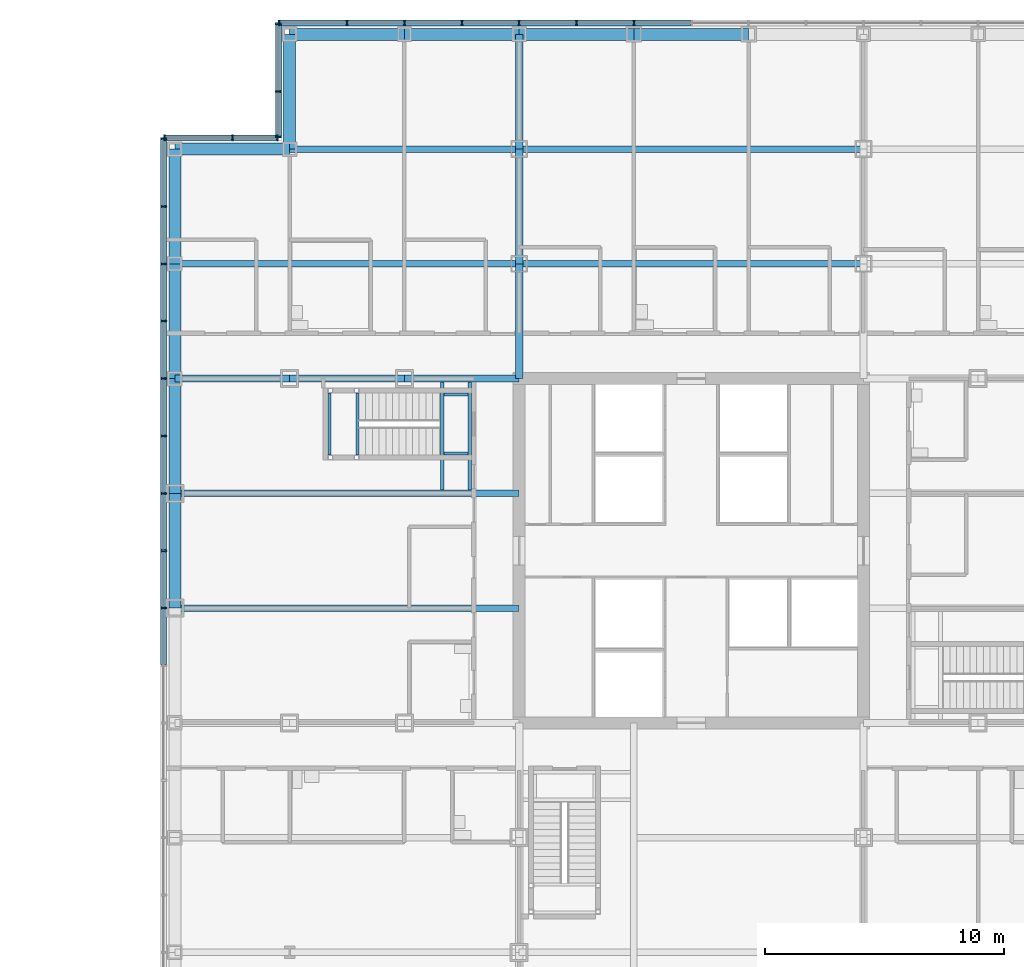
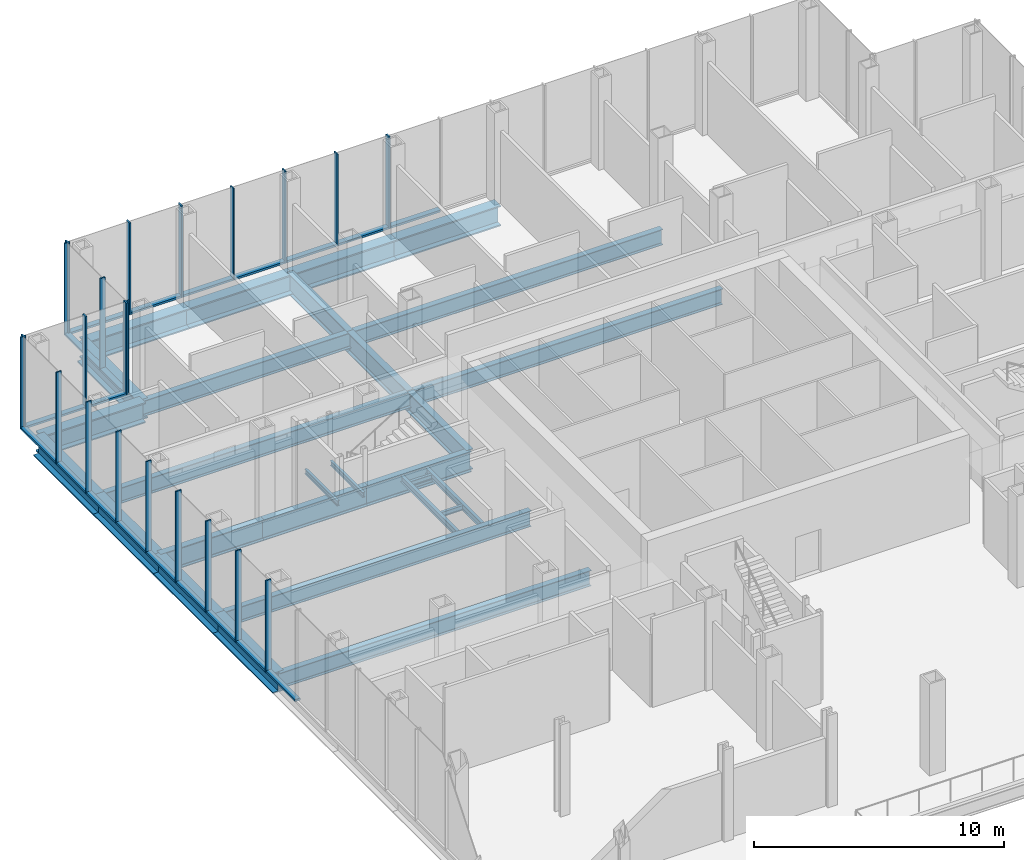
# One storey, part 15 of 25: 42 members, 28 beams, 4 elements without a shape of their own.
"""IFC4 building model written with IfcOpenShell, lengths in metres."""

from ifc_helpers import new_model, si_unit, direction, frame, origin, origin_2d, place, context, subcontext, project, spatial, rectangle, i_section, extrude, material, material_profile, profile_set, type_object, element, aggregate, save


model = new_model("IFC4")

# Units and contexts
model_context = context("Model", 3, precision=1e-05, world=origin(), true_north=direction((0.0, 1.0)))
body_context = subcontext(model_context, "Body", "Model", "MODEL_VIEW")
ifc_project = project(units=[si_unit("LENGTHUNIT", "METRE"), si_unit("AREAUNIT", "SQUARE_METRE"), si_unit("VOLUMEUNIT", "CUBIC_METRE"), si_unit("PLANEANGLEUNIT", "RADIAN"), si_unit("MASSUNIT", "GRAM", prefix="KILO")], contexts=[model_context])

# Site, building, storey
site_placement = place(None, origin())
site = spatial("IfcSite", under=ifc_project, at=site_placement, CompositionType="ELEMENT")
building_placement = place(site_placement, origin())
building = spatial("IfcBuilding", under=site, at=building_placement, Name="Kvirike Care Tower", CompositionType="ELEMENT")
storey_placement = place(building_placement, frame((0.0, 0.0, 13.5)))
storey = spatial("IfcBuildingStorey", under=building, at=storey_placement, Name="L03", CompositionType="ELEMENT", Elevation=13.5)

# Curtain wall, members
ifc_material_1 = material(Name="Anodised aluminium stick system", Category="aluminium")
curtain_wall_type = type_object("IfcCurtainWallType", Name="CW-P PODIUM STICK CURTAIN WALL", PredefinedType="NOTDEFINED", material=ifc_material_1)
curtain_wall_1_placement = place(storey_placement, origin())
curtain_wall_1 = element("IfcCurtainWall", 1, at=curtain_wall_1_placement, inside=storey, type_object=curtain_wall_type, Name="Curtain wall L03 face 11", PredefinedType="NOTDEFINED")
ifc_material_2 = material(Name="Bronze anodised aluminium mullion", Category="aluminium")
ifc_material_profile_1 = material_profile(ifc_material_2, rectangle(XDim=0.06494140625, YDim=0.25, at=origin_2d()), Name="CW-P MULLION 65x250")
ifc_profile_set_1 = profile_set([ifc_material_profile_1], Name="Bronze anodised aluminium mullion")
member_type_1 = type_object("IfcMemberType", Name="CW-P MULLION 65x250", PredefinedType="MULLION", material=ifc_profile_set_1)
member_1_placement = place(storey_placement, frame((19.199951171875, 58.074951171875, 0.0), z_axis=(0.0, 0.0, 1.0), x_axis=(-1.0, 0.0, 0.0)))
member_1 = element("IfcMember", 2, at=member_1_placement, type_object=member_type_1, Name="CW-P mullion L03 face 11.9", PredefinedType="MULLION", context=body_context, shape_type="SweptSolid", body=[
    extrude(rectangle(XDim=0.06494140625, YDim=0.25, at=origin_2d()), origin(), (0.0, 0.0, 1.0), 4.5),
])
member_2_placement = place(storey_placement, frame((16.800048828125, 58.074951171875, 0.0), z_axis=(0.0, 0.0, 1.0), x_axis=(-1.0, 0.0, 0.0)))
member_2 = element("IfcMember", 3, at=member_2_placement, type_object=member_type_1, Name="CW-P mullion L03 face 11.10", PredefinedType="MULLION", context=body_context, shape_type="SweptSolid", body=[
    extrude(rectangle(XDim=0.06494140625, YDim=0.25, at=origin_2d()), origin(), (0.0, 0.0, 1.0), 4.5),
])
member_3_placement = place(storey_placement, frame((14.39990234375, 58.074951171875, 0.0), z_axis=(0.0, 0.0, 1.0), x_axis=(-1.0, 0.0, 0.0)))
member_3 = element("IfcMember", 4, at=member_3_placement, type_object=member_type_1, Name="CW-P mullion L03 face 11.11", PredefinedType="MULLION", context=body_context, shape_type="SweptSolid", body=[
    extrude(rectangle(XDim=0.06494140625, YDim=0.25, at=origin_2d()), origin(), (0.0, 0.0, 1.0), 4.5),
])
member_4_placement = place(storey_placement, frame((12.0, 58.074951171875, 0.0), z_axis=(0.0, 0.0, 1.0), x_axis=(-1.0, 0.0, 0.0)))
member_4 = element("IfcMember", 5, at=member_4_placement, type_object=member_type_1, Name="CW-P mullion L03 face 11.12", PredefinedType="MULLION", context=body_context, shape_type="SweptSolid", body=[
    extrude(rectangle(XDim=0.06494140625, YDim=0.25, at=origin_2d()), origin(), (0.0, 0.0, 1.0), 4.5),
])
member_5_placement = place(storey_placement, frame((9.60009765625, 58.074951171875, 0.0), z_axis=(0.0, 0.0, 1.0), x_axis=(-1.0, 0.0, 0.0)))
member_5 = element("IfcMember", 6, at=member_5_placement, type_object=member_type_1, Name="CW-P mullion L03 face 11.13", PredefinedType="MULLION", context=body_context, shape_type="SweptSolid", body=[
    extrude(rectangle(XDim=0.06494140625, YDim=0.25, at=origin_2d()), origin(), (0.0, 0.0, 1.0), 4.5),
])
member_6_placement = place(storey_placement, frame((7.199951171875, 58.074951171875, 0.0), z_axis=(0.0, 0.0, 1.0), x_axis=(-1.0, 0.0, 0.0)))
member_6 = element("IfcMember", 7, at=member_6_placement, type_object=member_type_1, Name="CW-P mullion L03 face 11.14", PredefinedType="MULLION", context=body_context, shape_type="SweptSolid", body=[
    extrude(rectangle(XDim=0.06494140625, YDim=0.25, at=origin_2d()), origin(), (0.0, 0.0, 1.0), 4.5),
])
member_7_placement = place(storey_placement, frame((4.357421875, 58.074951171875, 0.0), z_axis=(0.0, 0.0, 1.0), x_axis=(-1.0, 0.0, 0.0)))
member_7 = element("IfcMember", 8, at=member_7_placement, type_object=member_type_1, Name="CW-P mullion L03 face 11.15", PredefinedType="MULLION", context=body_context, shape_type="SweptSolid", body=[
    extrude(rectangle(XDim=0.06494140625, YDim=0.25, at=origin_2d()), origin(), (0.0, 0.0, 1.0), 4.5),
])

curtain_wall_2_placement = place(storey_placement, origin())
curtain_wall_2 = element("IfcCurtainWall", 9, at=curtain_wall_2_placement, inside=storey, type_object=curtain_wall_type, Name="Curtain wall L03 face 12", PredefinedType="NOTDEFINED")
member_8_placement = place(storey_placement, frame((4.324951171875, 58.04248046875, 0.0), z_axis=(0.0, 0.0, 1.0), x_axis=(0.0, -1.0, 0.0)))
member_8 = element("IfcMember", 10, at=member_8_placement, type_object=member_type_1, Name="CW-P mullion L03 face 12.1", PredefinedType="MULLION", context=body_context, shape_type="SweptSolid", body=[
    extrude(rectangle(XDim=0.06494140625, YDim=0.25, at=origin_2d()), origin(), (0.0, 0.0, 1.0), 4.5),
])
member_9_placement = place(storey_placement, frame((4.324951171875, 55.199951171875, 0.0), z_axis=(0.0, 0.0, 1.0), x_axis=(0.0, -1.0, 0.0)))
member_9 = element("IfcMember", 11, at=member_9_placement, type_object=member_type_1, Name="CW-P mullion L03 face 12.2", PredefinedType="MULLION", context=body_context, shape_type="SweptSolid", body=[
    extrude(rectangle(XDim=0.06494140625, YDim=0.25, at=origin_2d()), origin(), (0.0, 0.0, 1.0), 4.5),
])
member_10_placement = place(storey_placement, frame((4.324951171875, 53.3076171875, 0.0), z_axis=(0.0, 0.0, 1.0), x_axis=(0.0, -1.0, 0.0)))
member_10 = element("IfcMember", 12, at=member_10_placement, type_object=member_type_1, Name="CW-P mullion L03 face 12.3", PredefinedType="MULLION", context=body_context, shape_type="SweptSolid", body=[
    extrude(rectangle(XDim=0.06494140625, YDim=0.25, at=origin_2d()), origin(), (0.0, 0.0, 1.0), 4.5),
])

curtain_wall_3_placement = place(storey_placement, origin())
curtain_wall_3 = element("IfcCurtainWall", 13, at=curtain_wall_3_placement, inside=storey, type_object=curtain_wall_type, Name="Curtain wall L03 face 13", PredefinedType="NOTDEFINED")
member_11_placement = place(storey_placement, frame((4.29248046875, 53.27490234375, 0.0), z_axis=(0.0, 0.0, 1.0), x_axis=(-1.0, 0.0, 0.0)))
member_11 = element("IfcMember", 14, at=member_11_placement, type_object=member_type_1, Name="CW-P mullion L03 face 13.1", PredefinedType="MULLION", context=body_context, shape_type="SweptSolid", body=[
    extrude(rectangle(XDim=0.06494140625, YDim=0.25, at=origin_2d()), origin(), (0.0, 0.0, 1.0), 4.5),
])
member_12_placement = place(storey_placement, frame((2.39990234375, 53.27490234375, 0.0), z_axis=(0.0, 0.0, 1.0), x_axis=(-1.0, 0.0, 0.0)))
member_12 = element("IfcMember", 15, at=member_12_placement, type_object=member_type_1, Name="CW-P mullion L03 face 13.2", PredefinedType="MULLION", context=body_context, shape_type="SweptSolid", body=[
    extrude(rectangle(XDim=0.06494140625, YDim=0.25, at=origin_2d()), origin(), (0.0, 0.0, 1.0), 4.5),
])
member_13_placement = place(storey_placement, frame((-0.4423828125, 53.27490234375, 0.0), z_axis=(0.0, 0.0, 1.0), x_axis=(-1.0, 0.0, 0.0)))
member_13 = element("IfcMember", 16, at=member_13_placement, type_object=member_type_1, Name="CW-P mullion L03 face 13.3", PredefinedType="MULLION", context=body_context, shape_type="SweptSolid", body=[
    extrude(rectangle(XDim=0.06494140625, YDim=0.25, at=origin_2d()), origin(), (0.0, 0.0, 1.0), 4.5),
])

curtain_wall_4_placement = place(storey_placement, origin())
curtain_wall_4 = element("IfcCurtainWall", 17, at=curtain_wall_4_placement, inside=storey, type_object=curtain_wall_type, Name="Curtain wall L03 face 14", PredefinedType="NOTDEFINED")
member_14_placement = place(storey_placement, frame((-0.47509765625, 53.242431640625, 0.0), z_axis=(0.0, 0.0, 1.0), x_axis=(0.0, -1.0, 0.0)))
member_14 = element("IfcMember", 18, at=member_14_placement, type_object=member_type_1, Name="CW-P mullion L03 face 14.1", PredefinedType="MULLION", context=body_context, shape_type="SweptSolid", body=[
    extrude(rectangle(XDim=0.06494140625, YDim=0.25, at=origin_2d()), origin(), (0.0, 0.0, 1.0), 4.5),
])
member_15_placement = place(storey_placement, frame((-0.47509765625, 50.39990234375, 0.0), z_axis=(0.0, 0.0, 1.0), x_axis=(0.0, -1.0, 0.0)))
member_15 = element("IfcMember", 19, at=member_15_placement, type_object=member_type_1, Name="CW-P mullion L03 face 14.2", PredefinedType="MULLION", context=body_context, shape_type="SweptSolid", body=[
    extrude(rectangle(XDim=0.06494140625, YDim=0.25, at=origin_2d()), origin(), (0.0, 0.0, 1.0), 4.5),
])
member_16_placement = place(storey_placement, frame((-0.47509765625, 48.0, 0.0), z_axis=(0.0, 0.0, 1.0), x_axis=(0.0, -1.0, 0.0)))
member_16 = element("IfcMember", 20, at=member_16_placement, type_object=member_type_1, Name="CW-P mullion L03 face 14.3", PredefinedType="MULLION", context=body_context, shape_type="SweptSolid", body=[
    extrude(rectangle(XDim=0.06494140625, YDim=0.25, at=origin_2d()), origin(), (0.0, 0.0, 1.0), 4.5),
])
member_17_placement = place(storey_placement, frame((-0.47509765625, 45.60009765625, 0.0), z_axis=(0.0, 0.0, 1.0), x_axis=(0.0, -1.0, 0.0)))
member_17 = element("IfcMember", 21, at=member_17_placement, type_object=member_type_1, Name="CW-P mullion L03 face 14.4", PredefinedType="MULLION", context=body_context, shape_type="SweptSolid", body=[
    extrude(rectangle(XDim=0.06494140625, YDim=0.25, at=origin_2d()), origin(), (0.0, 0.0, 1.0), 4.5),
])
member_18_placement = place(storey_placement, frame((-0.47509765625, 43.199951171875, 0.0), z_axis=(0.0, 0.0, 1.0), x_axis=(0.0, -1.0, 0.0)))
member_18 = element("IfcMember", 22, at=member_18_placement, type_object=member_type_1, Name="CW-P mullion L03 face 14.5", PredefinedType="MULLION", context=body_context, shape_type="SweptSolid", body=[
    extrude(rectangle(XDim=0.06494140625, YDim=0.25, at=origin_2d()), origin(), (0.0, 0.0, 1.0), 4.5),
])
member_19_placement = place(storey_placement, frame((-0.47509765625, 40.800048828125, 0.0), z_axis=(0.0, 0.0, 1.0), x_axis=(0.0, -1.0, 0.0)))
member_19 = element("IfcMember", 23, at=member_19_placement, type_object=member_type_1, Name="CW-P mullion L03 face 14.6", PredefinedType="MULLION", context=body_context, shape_type="SweptSolid", body=[
    extrude(rectangle(XDim=0.06494140625, YDim=0.25, at=origin_2d()), origin(), (0.0, 0.0, 1.0), 4.5),
])
member_20_placement = place(storey_placement, frame((-0.47509765625, 38.39990234375, 0.0), z_axis=(0.0, 0.0, 1.0), x_axis=(0.0, -1.0, 0.0)))
member_20 = element("IfcMember", 24, at=member_20_placement, type_object=member_type_1, Name="CW-P mullion L03 face 14.7", PredefinedType="MULLION", context=body_context, shape_type="SweptSolid", body=[
    extrude(rectangle(XDim=0.06494140625, YDim=0.25, at=origin_2d()), origin(), (0.0, 0.0, 1.0), 4.5),
])
member_21_placement = place(storey_placement, frame((-0.47509765625, 36.0, 0.0), z_axis=(0.0, 0.0, 1.0), x_axis=(0.0, -1.0, 0.0)))
member_21 = element("IfcMember", 25, at=member_21_placement, type_object=member_type_1, Name="CW-P mullion L03 face 14.8", PredefinedType="MULLION", context=body_context, shape_type="SweptSolid", body=[
    extrude(rectangle(XDim=0.06494140625, YDim=0.25, at=origin_2d()), origin(), (0.0, 0.0, 1.0), 4.5),
])
member_22_placement = place(storey_placement, frame((-0.47509765625, 33.60009765625, 0.0), z_axis=(0.0, 0.0, 1.0), x_axis=(0.0, -1.0, 0.0)))
member_22 = element("IfcMember", 26, at=member_22_placement, type_object=member_type_1, Name="CW-P mullion L03 face 14.9", PredefinedType="MULLION", context=body_context, shape_type="SweptSolid", body=[
    extrude(rectangle(XDim=0.06494140625, YDim=0.25, at=origin_2d()), origin(), (0.0, 0.0, 1.0), 4.5),
])

# Member
ifc_material_3 = material(Name="Bronze anodised aluminium transom", Category="aluminium")
ifc_material_profile_2 = material_profile(ifc_material_3, rectangle(XDim=0.25, YDim=0.10009765625, at=origin_2d()), Name="CW-P TRANSOM 250x100")
ifc_profile_set_2 = profile_set([ifc_material_profile_2], Name="Bronze anodised aluminium transom")
member_type_2 = type_object("IfcMemberType", Name="CW-P TRANSOM 250x100", PredefinedType="USERDEFINED", material=ifc_profile_set_2)
member_23_placement = place(storey_placement, frame((21.5673828125, 58.074951171875, 0.050048828125), z_axis=(-1.0, 0.0, 0.0), x_axis=(0.0, -1.0, 0.0)))
member_23 = element("IfcMember", 27, at=member_23_placement, type_object=member_type_2, Name="CW-P sill transom L03 face 11.8", ObjectType="TRANSOM", PredefinedType="USERDEFINED", context=body_context, shape_type="SweptSolid", body=[
    extrude(rectangle(XDim=0.25, YDim=0.10009765625, at=origin_2d()), origin(), (0.0, 0.0, 1.0), 2.3349609375),
])

member_24_placement = place(storey_placement, frame((19.16748046875, 58.074951171875, 0.050048828125), z_axis=(-1.0, 0.0, 0.0), x_axis=(0.0, -1.0, 0.0)))
member_24 = element("IfcMember", 28, at=member_24_placement, type_object=member_type_2, Name="CW-P sill transom L03 face 11.9", ObjectType="TRANSOM", PredefinedType="USERDEFINED", context=body_context, shape_type="SweptSolid", body=[
    extrude(rectangle(XDim=0.25, YDim=0.10009765625, at=origin_2d()), origin(), (0.0, 0.0, 1.0), 2.3349609375),
])

member_25_placement = place(storey_placement, frame((16.767578125, 58.074951171875, 0.050048828125), z_axis=(-1.0, 0.0, 0.0), x_axis=(0.0, -1.0, 0.0)))
member_25 = element("IfcMember", 29, at=member_25_placement, type_object=member_type_2, Name="CW-P sill transom L03 face 11.10", ObjectType="TRANSOM", PredefinedType="USERDEFINED", context=body_context, shape_type="SweptSolid", body=[
    extrude(rectangle(XDim=0.25, YDim=0.10009765625, at=origin_2d()), origin(), (0.0, 0.0, 1.0), 2.3349609375),
])

member_26_placement = place(storey_placement, frame((14.367431640625, 58.074951171875, 0.050048828125), z_axis=(-1.0, 0.0, 0.0), x_axis=(0.0, -1.0, 0.0)))
member_26 = element("IfcMember", 30, at=member_26_placement, type_object=member_type_2, Name="CW-P sill transom L03 face 11.11", ObjectType="TRANSOM", PredefinedType="USERDEFINED", context=body_context, shape_type="SweptSolid", body=[
    extrude(rectangle(XDim=0.25, YDim=0.10009765625, at=origin_2d()), origin(), (0.0, 0.0, 1.0), 2.3349609375),
])

member_27_placement = place(storey_placement, frame((11.967529296875, 58.074951171875, 0.050048828125), z_axis=(-1.0, 0.0, 0.0), x_axis=(0.0, -1.0, 0.0)))
member_27 = element("IfcMember", 31, at=member_27_placement, type_object=member_type_2, Name="CW-P sill transom L03 face 11.12", ObjectType="TRANSOM", PredefinedType="USERDEFINED", context=body_context, shape_type="SweptSolid", body=[
    extrude(rectangle(XDim=0.25, YDim=0.10009765625, at=origin_2d()), origin(), (0.0, 0.0, 1.0), 2.3349609375),
])

member_28_placement = place(storey_placement, frame((9.5673828125, 58.074951171875, 0.050048828125), z_axis=(-1.0, 0.0, 0.0), x_axis=(0.0, -1.0, 0.0)))
member_28 = element("IfcMember", 32, at=member_28_placement, type_object=member_type_2, Name="CW-P sill transom L03 face 11.13", ObjectType="TRANSOM", PredefinedType="USERDEFINED", context=body_context, shape_type="SweptSolid", body=[
    extrude(rectangle(XDim=0.25, YDim=0.10009765625, at=origin_2d()), origin(), (0.0, 0.0, 1.0), 2.3349609375),
])

member_29_placement = place(storey_placement, frame((7.16748046875, 58.074951171875, 0.050048828125), z_axis=(-1.0, 0.0, 0.0), x_axis=(0.0, -1.0, 0.0)))
member_29 = element("IfcMember", 33, at=member_29_placement, type_object=member_type_2, Name="CW-P sill transom L03 face 11.14", ObjectType="TRANSOM", PredefinedType="USERDEFINED", context=body_context, shape_type="SweptSolid", body=[
    extrude(rectangle(XDim=0.25, YDim=0.10009765625, at=origin_2d()), origin(), (0.0, 0.0, 1.0), 2.777587890625),
])

aggregate(curtain_wall_1, [member_1, member_2, member_3, member_4, member_5, member_6, member_7, member_23, member_24, member_25, member_26, member_27, member_28, member_29])

member_30_placement = place(storey_placement, frame((4.324951171875, 58.010009765625, 0.050048828125), z_axis=(0.0, -1.0, 0.0), x_axis=(1.0, 0.0, 0.0)))
member_30 = element("IfcMember", 34, at=member_30_placement, type_object=member_type_2, Name="CW-P sill transom L03 face 12.1", ObjectType="TRANSOM", PredefinedType="USERDEFINED", context=body_context, shape_type="SweptSolid", body=[
    extrude(rectangle(XDim=0.25, YDim=0.10009765625, at=origin_2d()), origin(), (0.0, 0.0, 1.0), 2.777587890625),
])

member_31_placement = place(storey_placement, frame((4.324951171875, 55.16748046875, 0.050048828125), z_axis=(0.0, -1.0, 0.0), x_axis=(1.0, 0.0, 0.0)))
member_31 = element("IfcMember", 35, at=member_31_placement, type_object=member_type_2, Name="CW-P sill transom L03 face 12.2", ObjectType="TRANSOM", PredefinedType="USERDEFINED", context=body_context, shape_type="SweptSolid", body=[
    extrude(rectangle(XDim=0.25, YDim=0.10009765625, at=origin_2d()), origin(), (0.0, 0.0, 1.0), 1.827392578125),
])

aggregate(curtain_wall_2, [member_8, member_9, member_10, member_30, member_31])

member_32_placement = place(storey_placement, frame((4.260009765625, 53.27490234375, 0.050048828125), z_axis=(-1.0, 0.0, 0.0), x_axis=(0.0, -1.0, 0.0)))
member_32 = element("IfcMember", 36, at=member_32_placement, type_object=member_type_2, Name="CW-P sill transom L03 face 13.1", ObjectType="TRANSOM", PredefinedType="USERDEFINED", context=body_context, shape_type="SweptSolid", body=[
    extrude(rectangle(XDim=0.25, YDim=0.10009765625, at=origin_2d()), origin(), (0.0, 0.0, 1.0), 1.827392578125),
])

member_33_placement = place(storey_placement, frame((2.367431640625, 53.27490234375, 0.050048828125), z_axis=(-1.0, 0.0, 0.0), x_axis=(0.0, -1.0, 0.0)))
member_33 = element("IfcMember", 37, at=member_33_placement, type_object=member_type_2, Name="CW-P sill transom L03 face 13.2", ObjectType="TRANSOM", PredefinedType="USERDEFINED", context=body_context, shape_type="SweptSolid", body=[
    extrude(rectangle(XDim=0.25, YDim=0.10009765625, at=origin_2d()), origin(), (0.0, 0.0, 1.0), 2.77734375),
])

aggregate(curtain_wall_3, [member_11, member_12, member_13, member_32, member_33])

member_34_placement = place(storey_placement, frame((-0.47509765625, 53.2099609375, 0.050048828125), z_axis=(0.0, -1.0, 0.0), x_axis=(1.0, 0.0, 0.0)))
member_34 = element("IfcMember", 38, at=member_34_placement, type_object=member_type_2, Name="CW-P sill transom L03 face 14.1", ObjectType="TRANSOM", PredefinedType="USERDEFINED", context=body_context, shape_type="SweptSolid", body=[
    extrude(rectangle(XDim=0.25, YDim=0.10009765625, at=origin_2d()), origin(), (0.0, 0.0, 1.0), 2.77734375),
])

member_35_placement = place(storey_placement, frame((-0.47509765625, 50.367431640625, 0.050048828125), z_axis=(0.0, -1.0, 0.0), x_axis=(1.0, 0.0, 0.0)))
member_35 = element("IfcMember", 39, at=member_35_placement, type_object=member_type_2, Name="CW-P sill transom L03 face 14.2", ObjectType="TRANSOM", PredefinedType="USERDEFINED", context=body_context, shape_type="SweptSolid", body=[
    extrude(rectangle(XDim=0.25, YDim=0.10009765625, at=origin_2d()), origin(), (0.0, 0.0, 1.0), 2.3349609375),
])

member_36_placement = place(storey_placement, frame((-0.47509765625, 47.967529296875, 0.050048828125), z_axis=(0.0, -1.0, 0.0), x_axis=(1.0, 0.0, 0.0)))
member_36 = element("IfcMember", 40, at=member_36_placement, type_object=member_type_2, Name="CW-P sill transom L03 face 14.3", ObjectType="TRANSOM", PredefinedType="USERDEFINED", context=body_context, shape_type="SweptSolid", body=[
    extrude(rectangle(XDim=0.25, YDim=0.10009765625, at=origin_2d()), origin(), (0.0, 0.0, 1.0), 2.3349609375),
])

member_37_placement = place(storey_placement, frame((-0.47509765625, 45.5673828125, 0.050048828125), z_axis=(0.0, -1.0, 0.0), x_axis=(1.0, 0.0, 0.0)))
member_37 = element("IfcMember", 41, at=member_37_placement, type_object=member_type_2, Name="CW-P sill transom L03 face 14.4", ObjectType="TRANSOM", PredefinedType="USERDEFINED", context=body_context, shape_type="SweptSolid", body=[
    extrude(rectangle(XDim=0.25, YDim=0.10009765625, at=origin_2d()), origin(), (0.0, 0.0, 1.0), 2.3349609375),
])

member_38_placement = place(storey_placement, frame((-0.47509765625, 43.16748046875, 0.050048828125), z_axis=(0.0, -1.0, 0.0), x_axis=(1.0, 0.0, 0.0)))
member_38 = element("IfcMember", 42, at=member_38_placement, type_object=member_type_2, Name="CW-P sill transom L03 face 14.5", ObjectType="TRANSOM", PredefinedType="USERDEFINED", context=body_context, shape_type="SweptSolid", body=[
    extrude(rectangle(XDim=0.25, YDim=0.10009765625, at=origin_2d()), origin(), (0.0, 0.0, 1.0), 2.3349609375),
])

member_39_placement = place(storey_placement, frame((-0.47509765625, 40.767578125, 0.050048828125), z_axis=(0.0, -1.0, 0.0), x_axis=(1.0, 0.0, 0.0)))
member_39 = element("IfcMember", 43, at=member_39_placement, type_object=member_type_2, Name="CW-P sill transom L03 face 14.6", ObjectType="TRANSOM", PredefinedType="USERDEFINED", context=body_context, shape_type="SweptSolid", body=[
    extrude(rectangle(XDim=0.25, YDim=0.10009765625, at=origin_2d()), origin(), (0.0, 0.0, 1.0), 2.3349609375),
])

member_40_placement = place(storey_placement, frame((-0.47509765625, 38.367431640625, 0.050048828125), z_axis=(0.0, -1.0, 0.0), x_axis=(1.0, 0.0, 0.0)))
member_40 = element("IfcMember", 44, at=member_40_placement, type_object=member_type_2, Name="CW-P sill transom L03 face 14.7", ObjectType="TRANSOM", PredefinedType="USERDEFINED", context=body_context, shape_type="SweptSolid", body=[
    extrude(rectangle(XDim=0.25, YDim=0.10009765625, at=origin_2d()), origin(), (0.0, 0.0, 1.0), 2.3349609375),
])

member_41_placement = place(storey_placement, frame((-0.47509765625, 35.967529296875, 0.050048828125), z_axis=(0.0, -1.0, 0.0), x_axis=(1.0, 0.0, 0.0)))
member_41 = element("IfcMember", 45, at=member_41_placement, type_object=member_type_2, Name="CW-P sill transom L03 face 14.8", ObjectType="TRANSOM", PredefinedType="USERDEFINED", context=body_context, shape_type="SweptSolid", body=[
    extrude(rectangle(XDim=0.25, YDim=0.10009765625, at=origin_2d()), origin(), (0.0, 0.0, 1.0), 2.3349609375),
])

member_42_placement = place(storey_placement, frame((-0.47509765625, 33.5673828125, 0.050048828125), z_axis=(0.0, -1.0, 0.0), x_axis=(1.0, 0.0, 0.0)))
member_42 = element("IfcMember", 46, at=member_42_placement, type_object=member_type_2, Name="CW-P sill transom L03 face 14.9", ObjectType="TRANSOM", PredefinedType="USERDEFINED", context=body_context, shape_type="SweptSolid", body=[
    extrude(rectangle(XDim=0.25, YDim=0.10009765625, at=origin_2d()), origin(), (0.0, 0.0, 1.0), 2.3349609375),
])

aggregate(curtain_wall_4, [member_14, member_15, member_16, member_17, member_18, member_19, member_20, member_21, member_22, member_34, member_35, member_36, member_37, member_38, member_39, member_40, member_41, member_42])

# Beams
ifc_material_4 = material(Name="Steel S355", Category="steel")
ifc_material_profile_3 = material_profile(ifc_material_4, i_section(OverallWidth=0.26806640625, OverallDepth=0.77001953125, WebThickness=0.015625, FlangeThickness=0.025390625, FilletRadius=0.01708984375, at=origin_2d()), Name="IPE 750x196")
ifc_profile_set_3 = profile_set([ifc_material_profile_3], Name="Steel S355")
beam_type_1 = type_object("IfcBeamType", Name="FLOOR BEAM IPE 750x196", PredefinedType="BEAM", material=ifc_profile_set_3)
for number, where, z_axis, x_axis, name in (
    (47, (0.0, 33.60009765625, -0.554931640625), (1.0, 0.0, 0.0), (0.0, 1.0, 0.0), "Floor Beam H3-H6 L03"),
    (48, (0.0, 38.39990234375, -0.554931640625), (1.0, 0.0, 0.0), (0.0, 1.0, 0.0), "Floor Beam J3-J6 L03"),
    (49, (0.0, 48.0, -0.554931640625), (1.0, 0.0, 0.0), (0.0, 1.0, 0.0), "Floor Beam L3-L6 L03"),
):
    element("IfcBeam", number, at=place(storey_placement, frame(where, z_axis=z_axis, x_axis=x_axis)), inside=storey, type_object=beam_type_1, Name=name, PredefinedType="BEAM", context=body_context, shape_type="SweptSolid", body=[
        extrude(i_section(OverallWidth=0.26806640625, OverallDepth=0.77001953125, WebThickness=0.015625, FlangeThickness=0.025390625, FilletRadius=0.01708984375, at=origin_2d()), origin(), (0.0, 0.0, 1.0), 14.39990234375),
    ])
beam_1_placement = place(storey_placement, frame((14.39990234375, 48.0, -0.554931640625), z_axis=(1.0, 0.0, 0.0), x_axis=(0.0, 1.0, 0.0)))
element("IfcBeam", 50, at=beam_1_placement, inside=storey, type_object=beam_type_1, Name="Floor Beam L6-L9 L03", PredefinedType="BEAM", context=body_context, shape_type="SweptSolid", body=[
    extrude(i_section(OverallWidth=0.26806640625, OverallDepth=0.77001953125, WebThickness=0.015625, FlangeThickness=0.025390625, FilletRadius=0.01708984375, at=origin_2d()), origin(), (0.0, 0.0, 1.0), 14.400146484375),
])
beam_2_placement = place(storey_placement, frame((4.800048828125, 52.800048828125, -0.554931640625), z_axis=(1.0, 0.0, 0.0), x_axis=(0.0, 1.0, 0.0)))
element("IfcBeam", 51, at=beam_2_placement, inside=storey, type_object=beam_type_1, Name="Floor Beam M4-M6 L03", PredefinedType="BEAM", context=body_context, shape_type="SweptSolid", body=[
    extrude(i_section(OverallWidth=0.26806640625, OverallDepth=0.77001953125, WebThickness=0.015625, FlangeThickness=0.025390625, FilletRadius=0.01708984375, at=origin_2d()), origin(), (0.0, 0.0, 1.0), 9.599853515625),
])
beam_3_placement = place(storey_placement, frame((14.39990234375, 52.800048828125, -0.554931640625), z_axis=(1.0, 0.0, 0.0), x_axis=(0.0, 1.0, 0.0)))
element("IfcBeam", 52, at=beam_3_placement, inside=storey, type_object=beam_type_1, Name="Floor Beam M6-M9 L03", PredefinedType="BEAM", context=body_context, shape_type="SweptSolid", body=[
    extrude(i_section(OverallWidth=0.26806640625, OverallDepth=0.77001953125, WebThickness=0.015625, FlangeThickness=0.025390625, FilletRadius=0.01708984375, at=origin_2d()), origin(), (0.0, 0.0, 1.0), 14.400146484375),
])
ifc_material_5 = material(Name="Steel S355", Category="steel")
ifc_material_profile_4 = material_profile(ifc_material_5, i_section(OverallWidth=0.300048828125, OverallDepth=1.0, WebThickness=0.01904296875, FlangeThickness=0.035888671875, FilletRadius=0.030029296875, at=origin_2d()), Name="HE 1000 B")
ifc_profile_set_4 = profile_set([ifc_material_profile_4], Name="Steel S355")
beam_type_2 = type_object("IfcBeamType", Name="FRAME BEAM HE 1000 B", PredefinedType="BEAM", material=ifc_profile_set_4)
for number, where, z_axis, x_axis, name in (
    (53, (0.0, 43.199951171875, -0.669921875), (1.0, 0.0, 0.0), (0.0, 1.0, 0.0), "Frame Beam K3-K4 L03"),
    (54, (4.800048828125, 43.199951171875, -0.669921875), (1.0, 0.0, 0.0), (0.0, 1.0, 0.0), "Frame Beam K4-K5 L03"),
):
    element("IfcBeam", number, at=place(storey_placement, frame(where, z_axis=z_axis, x_axis=x_axis)), inside=storey, type_object=beam_type_2, Name=name, PredefinedType="BEAM", context=body_context, shape_type="SweptSolid", body=[
        extrude(i_section(OverallWidth=0.300048828125, OverallDepth=1.0, WebThickness=0.01904296875, FlangeThickness=0.035888671875, FilletRadius=0.030029296875, at=origin_2d()), origin(), (0.0, 0.0, 1.0), 4.800048828125),
    ])
beam_4_placement = place(storey_placement, frame((9.60009765625, 43.199951171875, -0.669921875), z_axis=(1.0, 0.0, 0.0), x_axis=(0.0, 1.0, 0.0)))
element("IfcBeam", 55, at=beam_4_placement, inside=storey, type_object=beam_type_2, Name="Frame Beam K5-K6 L03", PredefinedType="BEAM", context=body_context, shape_type="SweptSolid", body=[
    extrude(i_section(OverallWidth=0.300048828125, OverallDepth=1.0, WebThickness=0.01904296875, FlangeThickness=0.035888671875, FilletRadius=0.030029296875, at=origin_2d()), origin(), (0.0, 0.0, 1.0), 4.7998046875),
])
for number, where, z_axis, x_axis, name in (
    (56, (14.39990234375, 43.199951171875, -0.669921875), (0.0, 1.0, 0.0), (-1.0, 0.0, 0.0), "Frame Beam K6-L6 L03"),
    (57, (14.39990234375, 48.0, -0.669921875), (0.0, 1.0, 0.0), (-1.0, 0.0, 0.0), "Frame Beam L6-M6 L03"),
    (58, (14.39990234375, 52.800048828125, -0.669921875), (0.0, 1.0, 0.0), (-1.0, 0.0, 0.0), "Frame Beam M6-N6 L03"),
):
    element("IfcBeam", number, at=place(storey_placement, frame(where, z_axis=z_axis, x_axis=x_axis)), inside=storey, type_object=beam_type_2, Name=name, PredefinedType="BEAM", context=body_context, shape_type="SweptSolid", body=[
        extrude(i_section(OverallWidth=0.300048828125, OverallDepth=1.0, WebThickness=0.01904296875, FlangeThickness=0.035888671875, FilletRadius=0.030029296875, at=origin_2d()), origin(), (0.0, 0.0, 1.0), 4.800048828125),
    ])
ifc_material_6 = material(Name="Steel S355", Category="steel")
ifc_material_profile_5 = material_profile(ifc_material_6, i_section(OverallWidth=0.5, OverallDepth=1.0, WebThickness=0.030029296875, FlangeThickness=0.06005859375, at=origin_2d()), Name="PG 1000x500x30x60")
ifc_profile_set_5 = profile_set([ifc_material_profile_5], Name="Steel S355")
beam_type_3 = type_object("IfcBeamType", Name="SPANDREL PG 1000x500x30x60", PredefinedType="SPANDREL", material=ifc_profile_set_5)
for number, where, z_axis, x_axis, name in (
    (59, (0.0, 52.800048828125, -0.669921875), (1.0, 0.0, 0.0), (0.0, 1.0, 0.0), "Spandrel M3-M4 L03"),
    (60, (4.800048828125, 57.60009765625, -0.669921875), (1.0, 0.0, 0.0), (0.0, 1.0, 0.0), "Spandrel N4-N5 L03"),
):
    element("IfcBeam", number, at=place(storey_placement, frame(where, z_axis=z_axis, x_axis=x_axis)), inside=storey, type_object=beam_type_3, Name=name, PredefinedType="SPANDREL", context=body_context, shape_type="SweptSolid", body=[
        extrude(i_section(OverallWidth=0.5, OverallDepth=1.0, WebThickness=0.030029296875, FlangeThickness=0.06005859375, at=origin_2d()), origin(), (0.0, 0.0, 1.0), 4.800048828125),
    ])
beam_5_placement = place(storey_placement, frame((9.60009765625, 57.60009765625, -0.669921875), z_axis=(1.0, 0.0, 0.0), x_axis=(0.0, 1.0, 0.0)))
element("IfcBeam", 61, at=beam_5_placement, inside=storey, type_object=beam_type_3, Name="Spandrel N5-N6 L03", PredefinedType="SPANDREL", context=body_context, shape_type="SweptSolid", body=[
    extrude(i_section(OverallWidth=0.5, OverallDepth=1.0, WebThickness=0.030029296875, FlangeThickness=0.06005859375, at=origin_2d()), origin(), (0.0, 0.0, 1.0), 4.7998046875),
])
for number, where, z_axis, x_axis, name in (
    (62, (14.39990234375, 57.60009765625, -0.669921875), (1.0, 0.0, 0.0), (0.0, 1.0, 0.0), "Spandrel N6-N7 L03"),
    (63, (19.199951171875, 57.60009765625, -0.669921875), (1.0, 0.0, 0.0), (0.0, 1.0, 0.0), "Spandrel N7-N8 L03"),
):
    element("IfcBeam", number, at=place(storey_placement, frame(where, z_axis=z_axis, x_axis=x_axis)), inside=storey, type_object=beam_type_3, Name=name, PredefinedType="SPANDREL", context=body_context, shape_type="SweptSolid", body=[
        extrude(i_section(OverallWidth=0.5, OverallDepth=1.0, WebThickness=0.030029296875, FlangeThickness=0.06005859375, at=origin_2d()), origin(), (0.0, 0.0, 1.0), 4.800048828125),
    ])
beam_6_placement = place(storey_placement, frame((0.0, 33.60009765625, -0.669921875), z_axis=(0.0, 1.0, 0.0), x_axis=(-1.0, 0.0, 0.0)))
element("IfcBeam", 64, at=beam_6_placement, inside=storey, type_object=beam_type_3, Name="Spandrel H3-J3 L03", PredefinedType="SPANDREL", context=body_context, shape_type="SweptSolid", body=[
    extrude(i_section(OverallWidth=0.5, OverallDepth=1.0, WebThickness=0.030029296875, FlangeThickness=0.06005859375, at=origin_2d()), origin(), (0.0, 0.0, 1.0), 4.7998046875),
])
for number, where, z_axis, x_axis, name in (
    (65, (0.0, 38.39990234375, -0.669921875), (0.0, 1.0, 0.0), (-1.0, 0.0, 0.0), "Spandrel J3-K3 L03"),
    (66, (0.0, 43.199951171875, -0.669921875), (0.0, 1.0, 0.0), (-1.0, 0.0, 0.0), "Spandrel K3-L3 L03"),
    (67, (0.0, 48.0, -0.669921875), (0.0, 1.0, 0.0), (-1.0, 0.0, 0.0), "Spandrel L3-M3 L03"),
    (68, (4.800048828125, 52.800048828125, -0.669921875), (0.0, 1.0, 0.0), (-1.0, 0.0, 0.0), "Spandrel M4-N4 L03"),
):
    element("IfcBeam", number, at=place(storey_placement, frame(where, z_axis=z_axis, x_axis=x_axis)), inside=storey, type_object=beam_type_3, Name=name, PredefinedType="SPANDREL", context=body_context, shape_type="SweptSolid", body=[
        extrude(i_section(OverallWidth=0.5, OverallDepth=1.0, WebThickness=0.030029296875, FlangeThickness=0.06005859375, at=origin_2d()), origin(), (0.0, 0.0, 1.0), 4.800048828125),
    ])
ifc_material_7 = material(Name="Steel S355", Category="steel")
ifc_material_profile_6 = material_profile(ifc_material_7, i_section(OverallWidth=0.1201171875, OverallDepth=0.239990234375, WebThickness=0.006103515625, FlangeThickness=0.009765625, FilletRadius=0.014892578125, at=origin_2d()), Name="IPE 240")
ifc_profile_set_6 = profile_set([ifc_material_profile_6], Name="Steel S355")
beam_type_4 = type_object("IfcBeamType", Name="STAIR LANDING BEAM IPE 240", PredefinedType="BEAM", material=ifc_profile_set_6)
for number, where, z_axis, x_axis, name in (
    (69, (6.4599609375, 42.60009765625, 1.929931640625), (0.0, -1.0, 0.0), (1.0, 0.0, 0.0), "Stair 1 landing beam back L03"),
    (70, (7.639892578125, 42.60009765625, 1.929931640625), (0.0, -1.0, 0.0), (1.0, 0.0, 0.0), "Stair 1 landing beam front L03"),
):
    element("IfcBeam", number, at=place(storey_placement, frame(where, z_axis=z_axis, x_axis=x_axis)), inside=storey, type_object=beam_type_4, Name=name, PredefinedType="BEAM", context=body_context, shape_type="SweptSolid", body=[
        extrude(i_section(OverallWidth=0.1201171875, OverallDepth=0.239990234375, WebThickness=0.006103515625, FlangeThickness=0.009765625, FilletRadius=0.014892578125, at=origin_2d()), origin(), (0.0, 0.0, 1.0), 2.60009765625),
    ])
for number, where, z_axis, x_axis, name in (
    (71, (11.25, 42.5400390625, -0.320068359375), (1.0, 0.0, 0.0), (0.0, 1.0, 0.0), "Stair 1 landing edge beam 1 L03"),
    (72, (11.25, 40.06005859375, -0.320068359375), (1.0, 0.0, 0.0), (0.0, 1.0, 0.0), "Stair 1 landing edge beam 2 L03"),
):
    element("IfcBeam", number, at=place(storey_placement, frame(where, z_axis=z_axis, x_axis=x_axis)), inside=storey, type_object=beam_type_4, Name=name, PredefinedType="BEAM", context=body_context, shape_type="SweptSolid", body=[
        extrude(i_section(OverallWidth=0.1201171875, OverallDepth=0.239990234375, WebThickness=0.006103515625, FlangeThickness=0.009765625, FilletRadius=0.014892578125, at=origin_2d()), origin(), (0.0, 0.0, 1.0), 1.0),
    ])
ifc_material_8 = material(Name="Steel S355", Category="steel")
ifc_material_profile_7 = material_profile(ifc_material_8, i_section(OverallWidth=0.14990234375, OverallDepth=0.300048828125, WebThickness=0.007080078125, FlangeThickness=0.0107421875, FilletRadius=0.014892578125, at=origin_2d()), Name="IPE 300")
ifc_profile_set_7 = profile_set([ifc_material_profile_7], Name="Steel S355")
beam_type_5 = type_object("IfcBeamType", Name="STAIR TRIMMER IPE 300", PredefinedType="BEAM", material=ifc_profile_set_7)
for number, where, z_axis, x_axis, name in (
    (73, (11.175048828125, 43.050048828125, -0.35009765625), (0.0, -1.0, 0.0), (1.0, 0.0, 0.0), "Stair 1 trimmer 1 L03"),
    (74, (12.324951171875, 43.050048828125, -0.35009765625), (0.0, -1.0, 0.0), (1.0, 0.0, 0.0), "Stair 1 trimmer 2 L03"),
):
    element("IfcBeam", number, at=place(storey_placement, frame(where, z_axis=z_axis, x_axis=x_axis)), inside=storey, type_object=beam_type_5, Name=name, PredefinedType="BEAM", context=body_context, shape_type="SweptSolid", body=[
        extrude(i_section(OverallWidth=0.14990234375, OverallDepth=0.300048828125, WebThickness=0.007080078125, FlangeThickness=0.0107421875, FilletRadius=0.014892578125, at=origin_2d()), origin(), (0.0, 0.0, 1.0), 4.51611328125),
    ])

save(model, "model.ifc")
